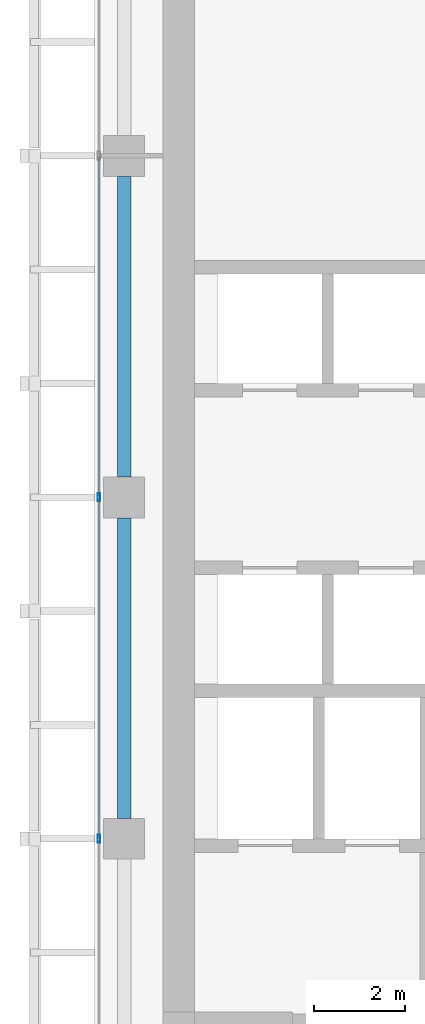
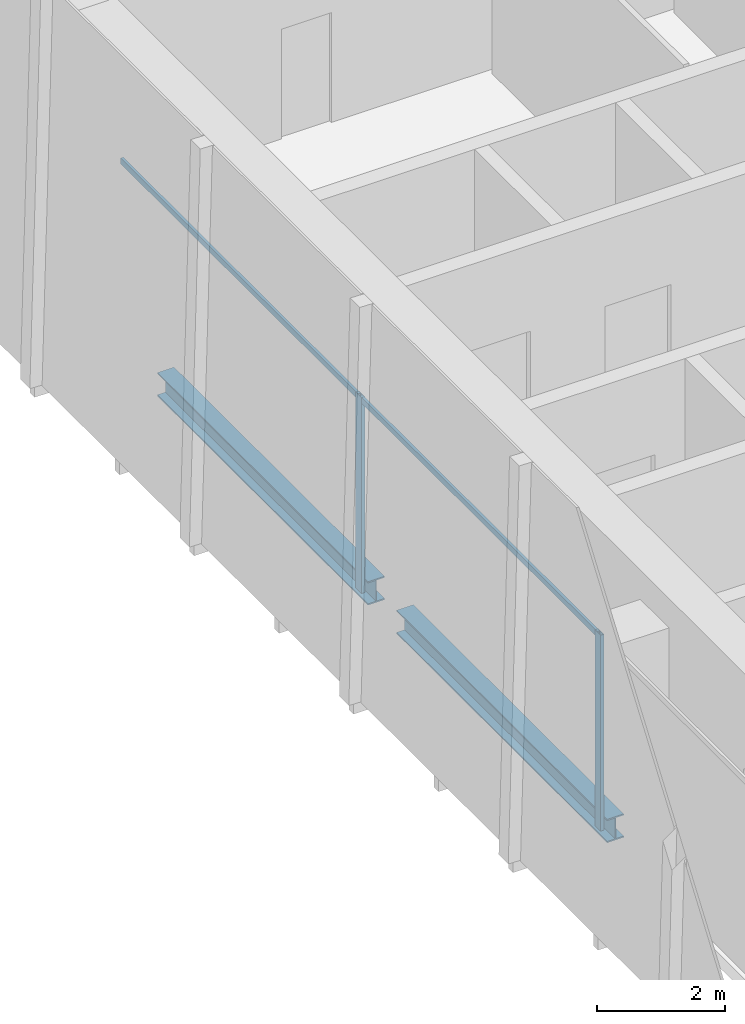
# One storey, part 6 of 35: 4 members, 2 beams, 1 element without a shape of its own.
"""IFC4 building model written with IfcOpenShell, lengths in metres."""

from ifc_helpers import new_model, si_unit, direction, frame, origin, origin_2d, place, context, subcontext, project, spatial, hollow_rectangle, i_section, extrude, source, transform, mapped, material, material_profile, profile_set, type_object, element, aggregate, save


model = new_model("IFC4")

# Units and contexts
model_context = context("Model", 3, precision=1e-05, world=origin(), true_north=direction((0.0, 1.0)))
body_context = subcontext(model_context, "Body", "Model", "MODEL_VIEW")
ifc_project = project(units=[si_unit("LENGTHUNIT", "METRE"), si_unit("AREAUNIT", "SQUARE_METRE"), si_unit("VOLUMEUNIT", "CUBIC_METRE"), si_unit("PLANEANGLEUNIT", "RADIAN"), si_unit("MASSUNIT", "GRAM", prefix="KILO")], contexts=[model_context])

# Site, building, storey
site_placement = place(None, origin())
site = spatial("IfcSite", under=ifc_project, at=site_placement, CompositionType="ELEMENT")
building_placement = place(site_placement, origin())
building = spatial("IfcBuilding", under=site, at=building_placement, Name="Khomas Fold Tower", CompositionType="ELEMENT")
storey_placement = place(building_placement, frame((0.0, 0.0, 266.199951171875)))
storey = spatial("IfcBuildingStorey", under=building, at=storey_placement, Name="L60", CompositionType="ELEMENT", Elevation=266.199951171875)

# Beams
ifc_material_1 = material(Name="Steel S355", Category="steel")
ifc_material_profile_1 = material_profile(ifc_material_1, i_section(OverallWidth=0.300048828125, OverallDepth=0.449951171875, WebThickness=0.013916015625, FlangeThickness=0.02587890625, at=origin_2d()), Name="HE 450 B")
ifc_profile_set_1 = profile_set([ifc_material_profile_1], Name="Steel S355")
beam_type = type_object("IfcBeamType", Name="HE 450 B spandrel SB4", PredefinedType="SPANDREL", material=ifc_profile_set_1)
shared_shape_1 = source(origin(), body_context, "Body", "SweptSolid", [
    extrude(i_section(OverallWidth=0.300048828125, OverallDepth=0.449951171875, WebThickness=0.013916015625, FlangeThickness=0.02587890625, at=origin_2d()), origin(), (0.0, 0.0, 1.0), 6.60009765625),
])
for number, where, z_axis, x_axis, name in (
    (1, (5.14990234375, 27.449951171875, -0.474853515625), (0.0, 1.0, 0.0), (-1.0, 0.0, 0.0), "SB4"),
    (2, (5.14990234375, 19.949951171875, -0.474853515625), (0.0, 1.0, 0.0), (-1.0, 0.0, 0.0), "SB4"),
):
    element("IfcBeam", number, at=place(storey_placement, frame(where, z_axis=z_axis, x_axis=x_axis)), inside=storey, type_object=beam_type, Name=name, PredefinedType="SPANDREL", context=body_context, shape_type="MappedRepresentation", body=[
        mapped(shared_shape_1, transform((0.0, 0.0, 0.0))),
    ])

# Curtain wall, members
ifc_material_2 = material(Name="Aluminium framed double glazing", Category="aluminium")
curtain_wall_type = type_object("IfcCurtainWallType", Name="SK-Unitised clear-glass wall, office floors CW2", PredefinedType="NOTDEFINED", material=ifc_material_2)
curtain_wall_placement = place(storey_placement, origin())
curtain_wall = element("IfcCurtainWall", 3, at=curtain_wall_placement, inside=storey, type_object=curtain_wall_type, Name="CW2 run L60 09-0", PredefinedType="NOTDEFINED")
ifc_material_3 = material(Name="Aluminium", Category="aluminium")
ifc_material_profile_2 = material_profile(ifc_material_3, hollow_rectangle(XDim=0.06005859375, YDim=0.179931640625, WallThickness=0.00390625, at=origin_2d()), Name="SK-Unitised clear-glass wall, office floors mullion CW2-M")
ifc_profile_set_2 = profile_set([ifc_material_profile_2], Name="Aluminium")
member_type_1 = type_object("IfcMemberType", Name="SK-Unitised clear-glass wall, office floors mullion CW2-M", PredefinedType="MULLION", material=ifc_profile_set_2)
shared_shape_2 = source(origin(), body_context, "Body", "SweptSolid", [
    extrude(hollow_rectangle(XDim=0.06005859375, YDim=0.179931640625, WallThickness=0.00390625, at=origin_2d()), origin(), (0.0, 0.0, 1.0), 3.75),
])
member_1_placement = place(storey_placement, frame((4.60009765625, 27.0, 0.0), z_axis=(0.0, 0.0, 1.0), x_axis=(1.0, 0.0, 0.0)))
member_1 = element("IfcMember", 4, at=member_1_placement, type_object=member_type_1, Name="CW2 mullion 4", PredefinedType="MULLION", context=body_context, shape_type="MappedRepresentation", body=[
    mapped(shared_shape_2, transform((0.0, 0.0, 0.0))),
])
member_2_placement = place(storey_placement, frame((4.60009765625, 19.5, 0.0), z_axis=(0.0, 0.0, 1.0), x_axis=(1.0, 0.0, 0.0)))
member_2 = element("IfcMember", 5, at=member_2_placement, type_object=member_type_1, Name="CW2 mullion 5", PredefinedType="MULLION", context=body_context, shape_type="MappedRepresentation", body=[
    mapped(shared_shape_2, transform((0.0, 0.0, 0.0))),
])
ifc_material_4 = material(Name="Aluminium", Category="aluminium")
ifc_material_profile_3 = material_profile(ifc_material_4, hollow_rectangle(XDim=0.050048828125, YDim=0.110107421875, WallThickness=0.00390625, at=origin_2d()), Name="SK-Unitised clear-glass wall, office floors transom CW2-T")
ifc_profile_set_3 = profile_set([ifc_material_profile_3], Name="Aluminium")
member_type_2 = type_object("IfcMemberType", Name="SK-Unitised clear-glass wall, office floors transom CW2-T", PredefinedType="USERDEFINED", material=ifc_profile_set_3)
shared_shape_3 = source(origin(), body_context, "Body", "SweptSolid", [
    extrude(hollow_rectangle(XDim=0.050048828125, YDim=0.110107421875, WallThickness=0.00390625, at=origin_2d()), origin(), (0.0, 0.0, 1.0), 7.43994140625),
])
member_3_placement = place(storey_placement, frame((4.60009765625, 34.469970703125, 3.695068359375), z_axis=(0.0, -1.0, 0.0), x_axis=(1.0, 0.0, 0.0)))
member_3 = element("IfcMember", 6, at=member_3_placement, type_object=member_type_2, Name="CW2 transom 3", ObjectType="TRANSOM", PredefinedType="USERDEFINED", context=body_context, shape_type="MappedRepresentation", body=[
    mapped(shared_shape_3, transform((0.0, 0.0, 0.0))),
])
member_4_placement = place(storey_placement, frame((4.60009765625, 26.969970703125, 3.695068359375), z_axis=(0.0, -1.0, 0.0), x_axis=(1.0, 0.0, 0.0)))
member_4 = element("IfcMember", 7, at=member_4_placement, type_object=member_type_2, Name="CW2 transom 4", ObjectType="TRANSOM", PredefinedType="USERDEFINED", context=body_context, shape_type="MappedRepresentation", body=[
    mapped(shared_shape_3, transform((0.0, 0.0, 0.0))),
])
aggregate(curtain_wall, [member_1, member_2, member_3, member_4])

save(model, "model.ifc")
